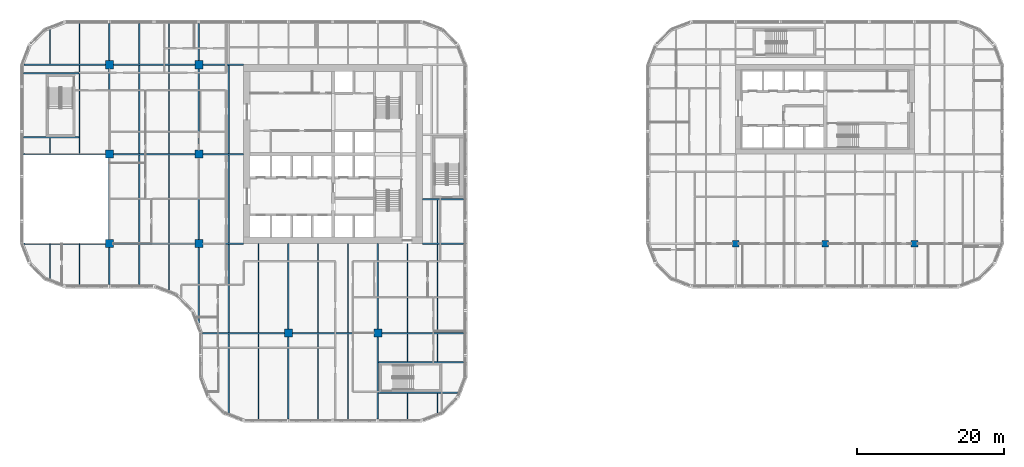
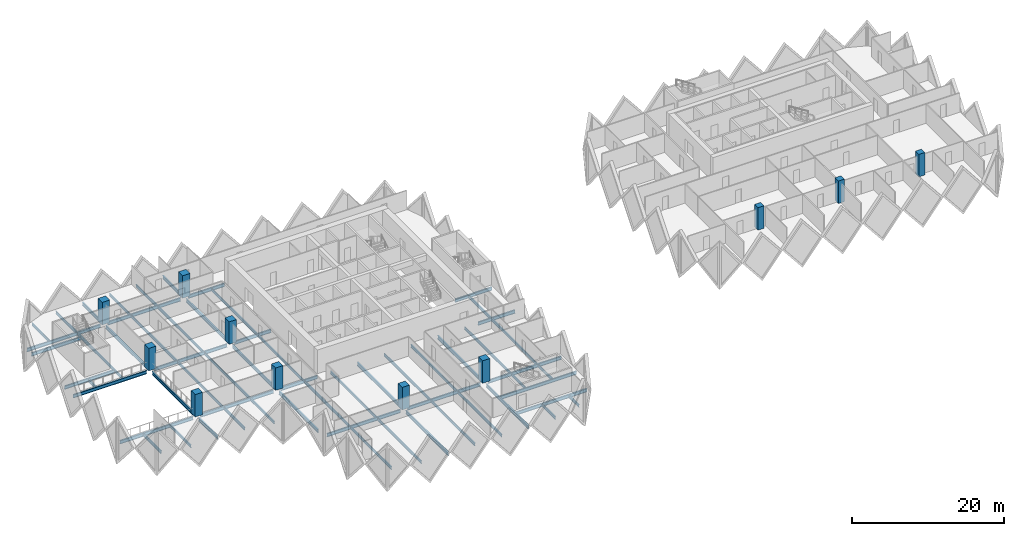
# One storey, part 1 of 19: 61 beams, 11 columns.
"""IFC4 building model written with IfcOpenShell, lengths in metres."""

import ifcopenshell
import ifcopenshell.guid

model = None  # the IFC model being written
_history = None  # IfcOwnerHistory: only IFC2X3 demands one
_inside = {}  # id of a spatial element -> (the spatial element, [elements in it])
_under = {}  # id of a project, library or spatial element -> (it, [spatial elements below it])
_declared = {}  # id of a project -> (the project, [libraries it declares])
_typed = {}  # id of a type object -> (the type object, [elements of that type])
_made_of = {}  # id of a material, layer set ... -> (it, [elements and type objects made of it])


def new_model(schema):
    """Start an empty IFC model of exactly this schema.

    Asked for "IFC4X3", IfcOpenShell would pick the latest addendum, in which some entities
    have other attributes; the version numbers below select the first issue.
    IFC2X3 requires an IfcOwnerHistory on every rooted entity: one is made here for all.
    """
    global model, _history
    if schema == "IFC4X3":
        model = ifcopenshell.file(schema_version=(4, 3, 0, 0))
    else:
        model = ifcopenshell.file(schema=schema)
    _inside.clear()
    _under.clear()
    _declared.clear()
    _typed.clear()
    _made_of.clear()
    _history = None
    if model.schema == "IFC2X3":
        org = make("IfcOrganization", Name="unknown")
        user = make(
            "IfcPersonAndOrganization",
            ThePerson=make("IfcPerson", FamilyName="unknown"),
            TheOrganization=org,
        )
        app = make(
            "IfcApplication",
            ApplicationDeveloper=org,
            Version="unknown",
            ApplicationFullName="unknown",
            ApplicationIdentifier="unknown",
        )
        _history = make(
            "IfcOwnerHistory",
            OwningUser=user,
            OwningApplication=app,
            ChangeAction="ADDED",
            CreationDate=0,
        )
    return model


def make(cls, **values):
    """One entity of the class cls with the attributes given. An attribute that is None is left unset."""
    return model.create_entity(
        cls, **{name: value for name, value in values.items() if value is not None}
    )


def rooted(cls, **values):
    """An entity with a GlobalId (a new one), such as an element, a storey or a relation."""
    return make(cls, GlobalId=ifcopenshell.guid.new(), OwnerHistory=_history, **values)


def si_unit(unit_type, name, prefix=None):
    """IfcSIUnit, for example si_unit("LENGTHUNIT", "METRE", prefix="MILLI")."""
    return make("IfcSIUnit", UnitType=unit_type, Prefix=prefix, Name=name)


def assignment(units):
    """IfcUnitAssignment: the units of a project."""
    return None if units is None else make("IfcUnitAssignment", Units=units)


def point(xyz):
    """IfcCartesianPoint."""
    return None if xyz is None else make("IfcCartesianPoint", Coordinates=xyz)


def direction(xyz):
    """IfcDirection."""
    return None if xyz is None else make("IfcDirection", DirectionRatios=xyz)


def frame(location, z_axis=None, x_axis=None):
    """IfcAxis2Placement3D, a coordinate frame: its origin and axes. An axis left out is left unset."""
    return make(
        "IfcAxis2Placement3D",
        Location=point(location),
        Axis=direction(z_axis),
        RefDirection=direction(x_axis),
    )


def frame_2d(location, x_axis=None):
    """IfcAxis2Placement2D, a coordinate frame in the plane: its origin and x axis."""
    return make(
        "IfcAxis2Placement2D", Location=point(location), RefDirection=direction(x_axis)
    )


def origin():
    """The frame at (0, 0, 0) with its axes left unset."""
    return frame((0.0, 0.0, 0.0))


def origin_2d():
    """The frame at (0, 0) in the plane with its x axis left unset."""
    return frame_2d((0.0, 0.0))


def place(relative_to, where):
    """IfcLocalPlacement: puts the frame where relative to a parent placement (None: the world)."""
    return make(
        "IfcLocalPlacement", PlacementRelTo=relative_to, RelativePlacement=where
    )


def context(
    kind, dimensions, precision=None, world=None, true_north=None, identifier=None
):
    """IfcGeometricRepresentationContext, for example the 3D "Model" context."""
    return make(
        "IfcGeometricRepresentationContext",
        ContextIdentifier=identifier,
        ContextType=kind,
        CoordinateSpaceDimension=dimensions,
        Precision=precision,
        WorldCoordinateSystem=world,
        TrueNorth=true_north,
    )


def subcontext(parent, identifier, kind, view, scale=None):
    """IfcGeometricRepresentationSubContext, for example "Body" below "Model"."""
    return make(
        "IfcGeometricRepresentationSubContext",
        ContextIdentifier=identifier,
        ContextType=kind,
        ParentContext=parent,
        TargetScale=scale,
        TargetView=view,
    )


def project(units=None, contexts=None):
    """IfcProject with its units and contexts."""
    return rooted(
        "IfcProject",
        Name="project",
        RepresentationContexts=contexts,
        UnitsInContext=assignment(units),
    )


def spatial(cls, under=None, at=None, **own):
    """A site, building, storey or space (cls), placed at a placement, below another one or the project."""
    s = rooted(cls, ObjectPlacement=at, **own)
    if under is not None:
        _under.setdefault(under.id(), (under, []))[1].append(s)
    return s


def profile(cls, at=None, kind="AREA", **sizes):
    """A parametric profile (cls). Its sizes go by their IFC names, for example OverallWidth=200.0."""
    return make(cls, ProfileType=kind, Position=at, **sizes)


def rectangle(**sizes):
    """IfcRectangleProfileDef."""
    return profile("IfcRectangleProfileDef", **sizes)


def i_section(**sizes):
    """IfcIShapeProfileDef."""
    return profile("IfcIShapeProfileDef", **sizes)


def extrude(swept, where, along, depth):
    """IfcExtrudedAreaSolid: the profile swept, set in the frame where, extruded along a direction by depth."""
    return make(
        "IfcExtrudedAreaSolid",
        SweptArea=swept,
        Position=where,
        ExtrudedDirection=direction(along),
        Depth=depth,
    )


def shape(context_of_items, identifier, shape_type, items):
    """IfcShapeRepresentation: the items that make up one representation, for example the "Body"."""
    return make(
        "IfcShapeRepresentation",
        ContextOfItems=context_of_items,
        RepresentationIdentifier=identifier,
        RepresentationType=shape_type,
        Items=items,
    )


def material(Name=None, Category=None):
    """IfcMaterial."""
    return make("IfcMaterial", Name=Name, Category=Category)


def material_profile(
    of_material, cross_section, Name=None, Category=None, Priority=None
):
    """IfcMaterialProfile: a cross section and its material."""
    return make(
        "IfcMaterialProfile",
        Name=Name,
        Material=of_material,
        Profile=cross_section,
        Priority=Priority,
        Category=Category,
    )


def profile_set(profiles, Name=None, composite=None):
    """IfcMaterialProfileSet."""
    return make(
        "IfcMaterialProfileSet",
        Name=Name,
        MaterialProfiles=profiles,
        CompositeProfile=composite,
    )


def made_of(thing, what):
    """Note that an element or type object is made of a material, layer set ...; save() writes the relation."""
    if what is not None:
        _made_of.setdefault(what.id(), (what, []))[1].append(thing)
    return thing


def type_object(cls, material=None, **own):
    """A type object (cls), such as IfcWallType, which elements share."""
    return made_of(rooted(cls, **own), material)


def element(
    cls,
    number,
    at=None,
    inside=None,
    cuts=None,
    type_object=None,
    material=None,
    context=None,
    identifier="Body",
    shape_type=None,
    held_by="IfcProductDefinitionShape",
    body=None,
    shapes=None,
    **own,
):
    """One element of the class cls, such as IfcWall. Its Tag is "e" and its number.

    at: its placement. inside: the storey or other place that contains it. cuts: it is an
    opening in that element (IfcRelVoidsElement). A single representation is given by context,
    identifier, shape_type and body (its items); several are given by shapes. held_by: the class
    of the entity that holds the representations. save() writes the other relations.
    """
    e = rooted(cls, Tag="e%d" % number, ObjectPlacement=at, **own)
    if body is not None:
        shapes = [shape(context, identifier, shape_type, body)]
    if shapes is not None:
        e.Representation = make(held_by, Representations=shapes)
    if inside is not None:
        _inside.setdefault(inside.id(), (inside, []))[1].append(e)
    if cuts is not None:
        rooted(
            "IfcRelVoidsElement", RelatingBuildingElement=cuts, RelatedOpeningElement=e
        )
    if type_object is not None:
        _typed.setdefault(type_object.id(), (type_object, []))[1].append(e)
    return made_of(e, material)


def aggregate(whole, parts):
    """IfcRelAggregates: a whole, such as a stair, and the parts it consists of."""
    return rooted("IfcRelAggregates", RelatingObject=whole, RelatedObjects=parts)


def save(model, path):
    """Write the relations noted so far, then the file.

    IfcRelAggregates (storeys below a building ...), IfcRelContainedInSpatialStructure (elements
    in a storey), IfcRelDefinesByType, IfcRelAssociatesMaterial and IfcRelDeclares: one each for
    every whole, place, type object, material and project.
    """
    for whole, parts in _under.values():
        aggregate(whole, parts)
    for where, things in _inside.values():
        rooted(
            "IfcRelContainedInSpatialStructure",
            RelatedElements=things,
            RelatingStructure=where,
        )
    for kind, things in _typed.values():
        rooted("IfcRelDefinesByType", RelatedObjects=things, RelatingType=kind)
    for what, things in _made_of.values():
        rooted("IfcRelAssociatesMaterial", RelatedObjects=things, RelatingMaterial=what)
    for by, libraries in _declared.values():
        rooted("IfcRelDeclares", RelatingContext=by, RelatedDefinitions=libraries)
    model.write(path)


model = new_model("IFC4")

# Units and contexts
model_context = context("Model", 3, precision=1e-05, world=origin(), true_north=direction((0.0, 1.0)))
body_context = subcontext(model_context, "Body", "Model", "MODEL_VIEW")
ifc_project = project(units=[si_unit("LENGTHUNIT", "METRE"), si_unit("AREAUNIT", "SQUARE_METRE"), si_unit("VOLUMEUNIT", "CUBIC_METRE"), si_unit("PLANEANGLEUNIT", "RADIAN"), si_unit("MASSUNIT", "GRAM", prefix="KILO")], contexts=[model_context])

# Site, building, storey
site_placement = place(None, origin())
site = spatial("IfcSite", under=ifc_project, at=site_placement, CompositionType="ELEMENT")
building_placement = place(site_placement, origin())
building = spatial("IfcBuilding", under=site, at=building_placement, Name="Tessera Gate Towers", CompositionType="ELEMENT")
storey_placement = place(building_placement, frame((0.0, 0.0, 29.60009765625)))
storey = spatial("IfcBuildingStorey", under=building, at=storey_placement, Name="L06", CompositionType="ELEMENT", Elevation=29.60009765625)

# Columns
ifc_material_1 = material(Name="Concrete C70/85", Category="concrete")
ifc_material_profile_1 = material_profile(ifc_material_1, rectangle(XDim=1.10009765625, YDim=1.10009765625, at=origin_2d()), Name="RC 1100x1100")
ifc_profile_set_1 = profile_set([ifc_material_profile_1], Name="Concrete C70/85")
column_type_1 = type_object("IfcColumnType", Name="COLUMN RC 1100x1100", PredefinedType="COLUMN", material=ifc_profile_set_1)
for number, where, z_axis, x_axis, name in (
    (1, (12.199951171875, 24.39990234375, 0.0), (0.0, 0.0, 1.0), (1.0, 0.0, 0.0), "T1-COL-2C-L06"),
    (2, (12.199951171875, 36.60009765625, 0.0), (0.0, 0.0, 1.0), (1.0, 0.0, 0.0), "T1-COL-2D-L06"),
    (3, (12.199951171875, 48.800048828125, 0.0), (0.0, 0.0, 1.0), (1.0, 0.0, 0.0), "T1-COL-2E-L06"),
    (4, (24.39990234375, 24.39990234375, 0.0), (0.0, 0.0, 1.0), (1.0, 0.0, 0.0), "T1-COL-3C-L06"),
    (5, (24.39990234375, 36.60009765625, 0.0), (0.0, 0.0, 1.0), (1.0, 0.0, 0.0), "T1-COL-3D-L06"),
    (6, (24.39990234375, 48.800048828125, 0.0), (0.0, 0.0, 1.0), (1.0, 0.0, 0.0), "T1-COL-3E-L06"),
    (7, (36.60009765625, 12.199951171875, 0.0), (0.0, 0.0, 1.0), (1.0, 0.0, 0.0), "T1-COL-4B-L06"),
    (8, (48.800048828125, 12.199951171875, 0.0), (0.0, 0.0, 1.0), (1.0, 0.0, 0.0), "T1-COL-5B-L06"),
):
    element("IfcColumn", number, at=place(storey_placement, frame(where, z_axis=z_axis, x_axis=x_axis)), inside=storey, type_object=column_type_1, Name=name, PredefinedType="COLUMN", context=body_context, shape_type="SweptSolid", body=[
        extrude(rectangle(XDim=1.10009765625, YDim=1.10009765625, at=origin_2d()), origin(), (0.0, 0.0, 1.0), 3.599853515625),
    ])
ifc_material_2 = material(Name="Concrete C70/85", Category="concrete")
ifc_material_profile_2 = material_profile(ifc_material_2, rectangle(XDim=0.89990234375, YDim=0.89990234375, at=origin_2d()), Name="RC 900x900")
ifc_profile_set_2 = profile_set([ifc_material_profile_2], Name="Concrete C70/85")
column_type_2 = type_object("IfcColumnType", Name="COLUMN RC 900x900", PredefinedType="COLUMN", material=ifc_profile_set_2)
for number, where, z_axis, x_axis, name in (
    (9, (97.60009765625, 24.39990234375, 0.0), (0.0, 0.0, 1.0), (1.0, 0.0, 0.0), "T2-COL-9C-L06"),
    (10, (109.800048828125, 24.39990234375, 0.0), (0.0, 0.0, 1.0), (1.0, 0.0, 0.0), "T2-COL-10C-L06"),
    (11, (122.0, 24.39990234375, 0.0), (0.0, 0.0, 1.0), (1.0, 0.0, 0.0), "T2-COL-11C-L06"),
):
    element("IfcColumn", number, at=place(storey_placement, frame(where, z_axis=z_axis, x_axis=x_axis)), inside=storey, type_object=column_type_2, Name=name, PredefinedType="COLUMN", context=body_context, shape_type="SweptSolid", body=[
        extrude(rectangle(XDim=0.89990234375, YDim=0.89990234375, at=origin_2d()), origin(), (0.0, 0.0, 1.0), 3.599853515625),
    ])

# Beams
ifc_material_3 = material(Name="Steel 350W", Category="steel")
ifc_material_profile_3 = material_profile(ifc_material_3, i_section(OverallWidth=0.208984375, OverallDepth=0.532958984375, WebThickness=0.01025390625, FlangeThickness=0.015625, at=origin_2d()), Name="W530x92")
ifc_profile_set_3 = profile_set([ifc_material_profile_3], Name="Steel 350W")
beam_type_1 = type_object("IfcBeamType", Name="FLOOR GIRDER W530x92", PredefinedType="BEAM", material=ifc_profile_set_3)
beam_1_placement = place(storey_placement, frame((24.89892578125, 12.199951171875, -0.466552734375), z_axis=(1.0, 0.0, 0.0), x_axis=(0.0, 1.0, 0.0)))
element("IfcBeam", 12, at=beam_1_placement, inside=storey, type_object=beam_type_1, Name="T1-GD-L06-1038", PredefinedType="BEAM", context=body_context, shape_type="SweptSolid", body=[
    extrude(i_section(OverallWidth=0.208984375, OverallDepth=0.532958984375, WebThickness=0.01025390625, FlangeThickness=0.015625, at=origin_2d()), origin(), (0.0, 0.0, 1.0), 11.151123046875),
])
beam_2_placement = place(storey_placement, frame((37.14990234375, 12.199951171875, -0.466552734375), z_axis=(1.0, 0.0, 0.0), x_axis=(0.0, 1.0, 0.0)))
element("IfcBeam", 13, at=beam_2_placement, inside=storey, type_object=beam_type_1, Name="T1-GD-L06-1039", PredefinedType="BEAM", context=body_context, shape_type="SweptSolid", body=[
    extrude(i_section(OverallWidth=0.208984375, OverallDepth=0.532958984375, WebThickness=0.01025390625, FlangeThickness=0.015625, at=origin_2d()), origin(), (0.0, 0.0, 1.0), 11.10009765625),
])
beam_3_placement = place(storey_placement, frame((49.35009765625, 12.199951171875, -0.466552734375), z_axis=(1.0, 0.0, 0.0), x_axis=(0.0, 1.0, 0.0)))
element("IfcBeam", 14, at=beam_3_placement, inside=storey, type_object=beam_type_1, Name="T1-GD-L06-1040", PredefinedType="BEAM", context=body_context, shape_type="SweptSolid", body=[
    extrude(i_section(OverallWidth=0.208984375, OverallDepth=0.532958984375, WebThickness=0.01025390625, FlangeThickness=0.015625, at=origin_2d()), origin(), (0.0, 0.0, 1.0), 11.15087890625),
])
beam_4_placement = place(storey_placement, frame((0.534912109375, 24.39990234375, -0.466552734375), z_axis=(1.0, 0.0, 0.0), x_axis=(0.0, 1.0, 0.0)))
element("IfcBeam", 15, at=beam_4_placement, inside=storey, type_object=beam_type_1, Name="T1-GD-L06-1041", PredefinedType="BEAM", context=body_context, shape_type="SweptSolid", body=[
    extrude(i_section(OverallWidth=0.208984375, OverallDepth=0.532958984375, WebThickness=0.01025390625, FlangeThickness=0.015625, at=origin_2d()), origin(), (0.0, 0.0, 1.0), 11.114990234375),
])
beam_5_placement = place(storey_placement, frame((12.75, 24.39990234375, -0.466552734375), z_axis=(1.0, 0.0, 0.0), x_axis=(0.0, 1.0, 0.0)))
element("IfcBeam", 16, at=beam_5_placement, inside=storey, type_object=beam_type_1, Name="T1-GD-L06-1042", PredefinedType="BEAM", context=body_context, shape_type="SweptSolid", body=[
    extrude(i_section(OverallWidth=0.208984375, OverallDepth=0.532958984375, WebThickness=0.01025390625, FlangeThickness=0.015625, at=origin_2d()), origin(), (0.0, 0.0, 1.0), 11.10009765625),
])
beam_6_placement = place(storey_placement, frame((24.949951171875, 24.39990234375, -0.466552734375), z_axis=(1.0, 0.0, 0.0), x_axis=(0.0, 1.0, 0.0)))
element("IfcBeam", 17, at=beam_6_placement, inside=storey, type_object=beam_type_1, Name="T1-GD-L06-1043", PredefinedType="BEAM", context=body_context, shape_type="SweptSolid", body=[
    extrude(i_section(OverallWidth=0.208984375, OverallDepth=0.532958984375, WebThickness=0.01025390625, FlangeThickness=0.015625, at=origin_2d()), origin(), (0.0, 0.0, 1.0), 5.549072265625),
])
beam_7_placement = place(storey_placement, frame((54.90087890625, 24.39990234375, -0.466552734375), z_axis=(1.0, 0.0, 0.0), x_axis=(0.0, 1.0, 0.0)))
element("IfcBeam", 18, at=beam_7_placement, inside=storey, type_object=beam_type_1, Name="T1-GD-L06-1044", PredefinedType="BEAM", context=body_context, shape_type="SweptSolid", body=[
    extrude(i_section(OverallWidth=0.208984375, OverallDepth=0.532958984375, WebThickness=0.01025390625, FlangeThickness=0.015625, at=origin_2d()), origin(), (0.0, 0.0, 1.0), 5.60009765625),
])
beam_8_placement = place(storey_placement, frame((0.4990234375, 36.60009765625, -0.466552734375), z_axis=(1.0, 0.0, 0.0), x_axis=(0.0, 1.0, 0.0)))
element("IfcBeam", 19, at=beam_8_placement, inside=storey, type_object=beam_type_1, Name="T1-GD-L06-1045", PredefinedType="BEAM", context=body_context, shape_type="SweptSolid", body=[
    extrude(i_section(OverallWidth=0.208984375, OverallDepth=0.532958984375, WebThickness=0.01025390625, FlangeThickness=0.015625, at=origin_2d()), origin(), (0.0, 0.0, 1.0), 11.15087890625),
])
beam_9_placement = place(storey_placement, frame((12.75, 36.60009765625, -0.466552734375), z_axis=(1.0, 0.0, 0.0), x_axis=(0.0, 1.0, 0.0)))
element("IfcBeam", 20, at=beam_9_placement, inside=storey, type_object=beam_type_1, Name="T1-GD-L06-1046", PredefinedType="BEAM", context=body_context, shape_type="SweptSolid", body=[
    extrude(i_section(OverallWidth=0.208984375, OverallDepth=0.532958984375, WebThickness=0.01025390625, FlangeThickness=0.015625, at=origin_2d()), origin(), (0.0, 0.0, 1.0), 11.10009765625),
])
beam_10_placement = place(storey_placement, frame((24.949951171875, 36.60009765625, -0.466552734375), z_axis=(1.0, 0.0, 0.0), x_axis=(0.0, 1.0, 0.0)))
element("IfcBeam", 21, at=beam_10_placement, inside=storey, type_object=beam_type_1, Name="T1-GD-L06-1047", PredefinedType="BEAM", context=body_context, shape_type="SweptSolid", body=[
    extrude(i_section(OverallWidth=0.208984375, OverallDepth=0.532958984375, WebThickness=0.01025390625, FlangeThickness=0.015625, at=origin_2d()), origin(), (0.0, 0.0, 1.0), 5.551025390625),
])
beam_11_placement = place(storey_placement, frame((0.534912109375, 48.800048828125, -0.466552734375), z_axis=(1.0, 0.0, 0.0), x_axis=(0.0, 1.0, 0.0)))
element("IfcBeam", 22, at=beam_11_placement, inside=storey, type_object=beam_type_1, Name="T1-GD-L06-1049", PredefinedType="BEAM", context=body_context, shape_type="SweptSolid", body=[
    extrude(i_section(OverallWidth=0.208984375, OverallDepth=0.532958984375, WebThickness=0.01025390625, FlangeThickness=0.015625, at=origin_2d()), origin(), (0.0, 0.0, 1.0), 11.114990234375),
])
beam_12_placement = place(storey_placement, frame((12.75, 48.800048828125, -0.466552734375), z_axis=(1.0, 0.0, 0.0), x_axis=(0.0, 1.0, 0.0)))
element("IfcBeam", 23, at=beam_12_placement, inside=storey, type_object=beam_type_1, Name="T1-GD-L06-1050", PredefinedType="BEAM", context=body_context, shape_type="SweptSolid", body=[
    extrude(i_section(OverallWidth=0.208984375, OverallDepth=0.532958984375, WebThickness=0.01025390625, FlangeThickness=0.015625, at=origin_2d()), origin(), (0.0, 0.0, 1.0), 11.10009765625),
])
beam_13_placement = place(storey_placement, frame((24.949951171875, 48.800048828125, -0.466552734375), z_axis=(1.0, 0.0, 0.0), x_axis=(0.0, 1.0, 0.0)))
element("IfcBeam", 24, at=beam_13_placement, inside=storey, type_object=beam_type_1, Name="T1-GD-L06-1051", PredefinedType="BEAM", context=body_context, shape_type="SweptSolid", body=[
    extrude(i_section(OverallWidth=0.208984375, OverallDepth=0.532958984375, WebThickness=0.01025390625, FlangeThickness=0.015625, at=origin_2d()), origin(), (0.0, 0.0, 1.0), 5.549072265625),
])
beam_14_placement = place(storey_placement, frame((12.199951171875, 18.799072265625, -0.466552734375), z_axis=(0.0, 1.0, 0.0), x_axis=(-1.0, 0.0, 0.0)))
element("IfcBeam", 25, at=beam_14_placement, inside=storey, type_object=beam_type_1, Name="T1-GD-L06-1053", PredefinedType="BEAM", context=body_context, shape_type="SweptSolid", body=[
    extrude(i_section(OverallWidth=0.208984375, OverallDepth=0.532958984375, WebThickness=0.01025390625, FlangeThickness=0.015625, at=origin_2d()), origin(), (0.0, 0.0, 1.0), 5.051025390625),
])
for number, where, z_axis, x_axis, name in (
    (26, (12.199951171875, 24.949951171875, -0.466552734375), (0.0, 1.0, 0.0), (-1.0, 0.0, 0.0), "T1-GD-L06-1054"),
    (27, (12.199951171875, 37.14990234375, -0.466552734375), (0.0, 1.0, 0.0), (-1.0, 0.0, 0.0), "T1-GD-L06-1055"),
):
    element("IfcBeam", number, at=place(storey_placement, frame(where, z_axis=z_axis, x_axis=x_axis)), inside=storey, type_object=beam_type_1, Name=name, PredefinedType="BEAM", context=body_context, shape_type="SweptSolid", body=[
        extrude(i_section(OverallWidth=0.208984375, OverallDepth=0.532958984375, WebThickness=0.01025390625, FlangeThickness=0.015625, at=origin_2d()), origin(), (0.0, 0.0, 1.0), 11.10009765625),
    ])
beam_15_placement = place(storey_placement, frame((12.199951171875, 49.35009765625, -0.466552734375), z_axis=(0.0, 1.0, 0.0), x_axis=(-1.0, 0.0, 0.0)))
element("IfcBeam", 28, at=beam_15_placement, inside=storey, type_object=beam_type_1, Name="T1-GD-L06-1056", PredefinedType="BEAM", context=body_context, shape_type="SweptSolid", body=[
    extrude(i_section(OverallWidth=0.208984375, OverallDepth=0.532958984375, WebThickness=0.01025390625, FlangeThickness=0.015625, at=origin_2d()), origin(), (0.0, 0.0, 1.0), 5.05078125),
])
beam_16_placement = place(storey_placement, frame((24.39990234375, 13.58642578125, -0.466552734375), z_axis=(0.0, 1.0, 0.0), x_axis=(-1.0, 0.0, 0.0)))
element("IfcBeam", 29, at=beam_16_placement, inside=storey, type_object=beam_type_1, Name="T1-GD-L06-1057", PredefinedType="BEAM", context=body_context, shape_type="SweptSolid", body=[
    extrude(i_section(OverallWidth=0.208984375, OverallDepth=0.532958984375, WebThickness=0.01025390625, FlangeThickness=0.015625, at=origin_2d()), origin(), (0.0, 0.0, 1.0), 10.263671875),
])
for number, where, z_axis, x_axis, name in (
    (30, (24.39990234375, 24.949951171875, -0.466552734375), (0.0, 1.0, 0.0), (-1.0, 0.0, 0.0), "T1-GD-L06-1058"),
    (31, (24.39990234375, 37.14990234375, -0.466552734375), (0.0, 1.0, 0.0), (-1.0, 0.0, 0.0), "T1-GD-L06-1059"),
):
    element("IfcBeam", number, at=place(storey_placement, frame(where, z_axis=z_axis, x_axis=x_axis)), inside=storey, type_object=beam_type_1, Name=name, PredefinedType="BEAM", context=body_context, shape_type="SweptSolid", body=[
        extrude(i_section(OverallWidth=0.208984375, OverallDepth=0.532958984375, WebThickness=0.01025390625, FlangeThickness=0.015625, at=origin_2d()), origin(), (0.0, 0.0, 1.0), 11.10009765625),
    ])
beam_17_placement = place(storey_placement, frame((24.39990234375, 49.35009765625, -0.466552734375), z_axis=(0.0, 1.0, 0.0), x_axis=(-1.0, 0.0, 0.0)))
element("IfcBeam", 32, at=beam_17_placement, inside=storey, type_object=beam_type_1, Name="T1-GD-L06-1060", PredefinedType="BEAM", context=body_context, shape_type="SweptSolid", body=[
    extrude(i_section(OverallWidth=0.208984375, OverallDepth=0.532958984375, WebThickness=0.01025390625, FlangeThickness=0.015625, at=origin_2d()), origin(), (0.0, 0.0, 1.0), 5.05078125),
])
beam_18_placement = place(storey_placement, frame((36.60009765625, 0.4990234375, -0.466552734375), z_axis=(0.0, 1.0, 0.0), x_axis=(-1.0, 0.0, 0.0)))
element("IfcBeam", 33, at=beam_18_placement, inside=storey, type_object=beam_type_1, Name="T1-GD-L06-1061", PredefinedType="BEAM", context=body_context, shape_type="SweptSolid", body=[
    extrude(i_section(OverallWidth=0.208984375, OverallDepth=0.532958984375, WebThickness=0.01025390625, FlangeThickness=0.015625, at=origin_2d()), origin(), (0.0, 0.0, 1.0), 11.15087890625),
])
beam_19_placement = place(storey_placement, frame((36.60009765625, 12.75, -0.466552734375), z_axis=(0.0, 1.0, 0.0), x_axis=(-1.0, 0.0, 0.0)))
element("IfcBeam", 34, at=beam_19_placement, inside=storey, type_object=beam_type_1, Name="T1-GD-L06-1062", PredefinedType="BEAM", context=body_context, shape_type="SweptSolid", body=[
    extrude(i_section(OverallWidth=0.208984375, OverallDepth=0.532958984375, WebThickness=0.01025390625, FlangeThickness=0.015625, at=origin_2d()), origin(), (0.0, 0.0, 1.0), 11.64990234375),
])
beam_20_placement = place(storey_placement, frame((48.800048828125, 0.4990234375, -0.466552734375), z_axis=(0.0, 1.0, 0.0), x_axis=(-1.0, 0.0, 0.0)))
element("IfcBeam", 35, at=beam_20_placement, inside=storey, type_object=beam_type_1, Name="T1-GD-L06-1063", PredefinedType="BEAM", context=body_context, shape_type="SweptSolid", body=[
    extrude(i_section(OverallWidth=0.208984375, OverallDepth=0.532958984375, WebThickness=0.01025390625, FlangeThickness=0.015625, at=origin_2d()), origin(), (0.0, 0.0, 1.0), 11.15087890625),
])
beam_21_placement = place(storey_placement, frame((48.800048828125, 12.75, -0.466552734375), z_axis=(0.0, 1.0, 0.0), x_axis=(-1.0, 0.0, 0.0)))
element("IfcBeam", 36, at=beam_21_placement, inside=storey, type_object=beam_type_1, Name="T1-GD-L06-1064", PredefinedType="BEAM", context=body_context, shape_type="SweptSolid", body=[
    extrude(i_section(OverallWidth=0.208984375, OverallDepth=0.532958984375, WebThickness=0.01025390625, FlangeThickness=0.015625, at=origin_2d()), origin(), (0.0, 0.0, 1.0), 11.64990234375),
])
for number, where, z_axis, x_axis, name in (
    (37, (0.4990234375, 38.8798828125, -0.466552734375), (1.0, 0.0, 0.0), (0.0, 1.0, 0.0), "T1-GD-L06-1065"),
    (38, (0.4990234375, 47.6201171875, -0.466552734375), (1.0, 0.0, 0.0), (0.0, 1.0, 0.0), "T1-GD-L06-1066"),
):
    element("IfcBeam", number, at=place(storey_placement, frame(where, z_axis=z_axis, x_axis=x_axis)), inside=storey, type_object=beam_type_1, Name=name, PredefinedType="BEAM", context=body_context, shape_type="SweptSolid", body=[
        extrude(i_section(OverallWidth=0.208984375, OverallDepth=0.532958984375, WebThickness=0.01025390625, FlangeThickness=0.015625, at=origin_2d()), origin(), (0.0, 0.0, 1.0), 7.557861328125),
    ])
beam_22_placement = place(storey_placement, frame((48.87646484375, 4.080078125, -0.466552734375), z_axis=(1.0, 0.0, 0.0), x_axis=(0.0, 1.0, 0.0)))
element("IfcBeam", 39, at=beam_22_placement, inside=storey, type_object=beam_type_1, Name="T1-GD-L06-1067", PredefinedType="BEAM", context=body_context, shape_type="SweptSolid", body=[
    extrude(i_section(OverallWidth=0.208984375, OverallDepth=0.532958984375, WebThickness=0.01025390625, FlangeThickness=0.015625, at=origin_2d()), origin(), (0.0, 0.0, 1.0), 10.809326171875),
])
beam_23_placement = place(storey_placement, frame((48.87646484375, 8.219970703125, -0.466552734375), z_axis=(1.0, 0.0, 0.0), x_axis=(0.0, 1.0, 0.0)))
element("IfcBeam", 40, at=beam_23_placement, inside=storey, type_object=beam_type_1, Name="T1-GD-L06-1068", PredefinedType="BEAM", context=body_context, shape_type="SweptSolid", body=[
    extrude(i_section(OverallWidth=0.208984375, OverallDepth=0.532958984375, WebThickness=0.01025390625, FlangeThickness=0.015625, at=origin_2d()), origin(), (0.0, 0.0, 1.0), 11.62451171875),
])
beam_24_placement = place(storey_placement, frame((54.89892578125, 30.47998046875, -0.466552734375), z_axis=(1.0, 0.0, 0.0), x_axis=(0.0, 1.0, 0.0)))
element("IfcBeam", 41, at=beam_24_placement, inside=storey, type_object=beam_type_1, Name="T1-GD-L06-1069", PredefinedType="BEAM", context=body_context, shape_type="SweptSolid", body=[
    extrude(i_section(OverallWidth=0.208984375, OverallDepth=0.532958984375, WebThickness=0.01025390625, FlangeThickness=0.015625, at=origin_2d()), origin(), (0.0, 0.0, 1.0), 5.60205078125),
])
ifc_material_4 = material(Name="Steel 350W", Category="steel")
ifc_material_profile_4 = material_profile(ifc_material_4, i_section(OverallWidth=0.153076171875, OverallDepth=0.455078125, WebThickness=0.008056640625, FlangeThickness=0.01318359375, at=origin_2d()), Name="W460x60")
ifc_profile_set_4 = profile_set([ifc_material_profile_4], Name="Steel 350W")
beam_type_2 = type_object("IfcBeamType", Name="FLOOR SECONDARY W460x60", PredefinedType="BEAM", material=ifc_profile_set_4)
beam_25_placement = place(storey_placement, frame((4.066650390625, 19.620361328125, -0.427490234375), z_axis=(0.0, 1.0, 0.0), x_axis=(-1.0, 0.0, 0.0)))
element("IfcBeam", 42, at=beam_25_placement, inside=storey, type_object=beam_type_2, Name="T1-BM-L06-1072", PredefinedType="BEAM", context=body_context, shape_type="SweptSolid", body=[
    extrude(i_section(OverallWidth=0.153076171875, OverallDepth=0.455078125, WebThickness=0.008056640625, FlangeThickness=0.01318359375, at=origin_2d()), origin(), (0.0, 0.0, 1.0), 4.779541015625),
])
beam_26_placement = place(storey_placement, frame((4.066650390625, 36.70458984375, -0.427490234375), z_axis=(0.0, 1.0, 0.0), x_axis=(-1.0, 0.0, 0.0)))
element("IfcBeam", 43, at=beam_26_placement, inside=storey, type_object=beam_type_2, Name="T1-BM-L06-1073", PredefinedType="BEAM", context=body_context, shape_type="SweptSolid", body=[
    extrude(i_section(OverallWidth=0.153076171875, OverallDepth=0.455078125, WebThickness=0.008056640625, FlangeThickness=0.01318359375, at=origin_2d()), origin(), (0.0, 0.0, 1.0), 2.07080078125),
])
beam_27_placement = place(storey_placement, frame((4.066650390625, 48.904541015625, -0.427490234375), z_axis=(0.0, 1.0, 0.0), x_axis=(-1.0, 0.0, 0.0)))
element("IfcBeam", 44, at=beam_27_placement, inside=storey, type_object=beam_type_2, Name="T1-BM-L06-1074", PredefinedType="BEAM", context=body_context, shape_type="SweptSolid", body=[
    extrude(i_section(OverallWidth=0.153076171875, OverallDepth=0.455078125, WebThickness=0.008056640625, FlangeThickness=0.01318359375, at=origin_2d()), origin(), (0.0, 0.0, 1.0), 4.675048828125),
])
beam_28_placement = place(storey_placement, frame((8.13330078125, 18.800048828125, -0.427490234375), z_axis=(0.0, 1.0, 0.0), x_axis=(-1.0, 0.0, 0.0)))
element("IfcBeam", 45, at=beam_28_placement, inside=storey, type_object=beam_type_2, Name="T1-BM-L06-1075", PredefinedType="BEAM", context=body_context, shape_type="SweptSolid", body=[
    extrude(i_section(OverallWidth=0.153076171875, OverallDepth=0.455078125, WebThickness=0.008056640625, FlangeThickness=0.01318359375, at=origin_2d()), origin(), (0.0, 0.0, 1.0), 5.599853515625),
])
beam_29_placement = place(storey_placement, frame((8.13330078125, 36.70458984375, -0.427490234375), z_axis=(0.0, 1.0, 0.0), x_axis=(-1.0, 0.0, 0.0)))
element("IfcBeam", 46, at=beam_29_placement, inside=storey, type_object=beam_type_2, Name="T1-BM-L06-1076", PredefinedType="BEAM", context=body_context, shape_type="SweptSolid", body=[
    extrude(i_section(OverallWidth=0.153076171875, OverallDepth=0.455078125, WebThickness=0.008056640625, FlangeThickness=0.01318359375, at=origin_2d()), origin(), (0.0, 0.0, 1.0), 11.990966796875),
])
for number, where, z_axis, x_axis, name in (
    (47, (8.13330078125, 48.904541015625, -0.427490234375), (0.0, 1.0, 0.0), (-1.0, 0.0, 0.0), "T1-BM-L06-1077"),
    (48, (16.2666015625, 18.800048828125, -0.427490234375), (0.0, 1.0, 0.0), (-1.0, 0.0, 0.0), "T1-BM-L06-1078"),
):
    element("IfcBeam", number, at=place(storey_placement, frame(where, z_axis=z_axis, x_axis=x_axis)), inside=storey, type_object=beam_type_2, Name=name, PredefinedType="BEAM", context=body_context, shape_type="SweptSolid", body=[
        extrude(i_section(OverallWidth=0.153076171875, OverallDepth=0.455078125, WebThickness=0.008056640625, FlangeThickness=0.01318359375, at=origin_2d()), origin(), (0.0, 0.0, 1.0), 5.495361328125),
    ])
beam_30_placement = place(storey_placement, frame((16.2666015625, 24.50439453125, -0.427490234375), z_axis=(0.0, 1.0, 0.0), x_axis=(-1.0, 0.0, 0.0)))
element("IfcBeam", 49, at=beam_30_placement, inside=storey, type_object=beam_type_2, Name="T1-BM-L06-1079", PredefinedType="BEAM", context=body_context, shape_type="SweptSolid", body=[
    extrude(i_section(OverallWidth=0.153076171875, OverallDepth=0.455078125, WebThickness=0.008056640625, FlangeThickness=0.01318359375, at=origin_2d()), origin(), (0.0, 0.0, 1.0), 11.9912109375),
])
beam_31_placement = place(storey_placement, frame((16.2666015625, 36.70458984375, -0.427490234375), z_axis=(0.0, 1.0, 0.0), x_axis=(-1.0, 0.0, 0.0)))
element("IfcBeam", 50, at=beam_31_placement, inside=storey, type_object=beam_type_2, Name="T1-BM-L06-1080", PredefinedType="BEAM", context=body_context, shape_type="SweptSolid", body=[
    extrude(i_section(OverallWidth=0.153076171875, OverallDepth=0.455078125, WebThickness=0.008056640625, FlangeThickness=0.01318359375, at=origin_2d()), origin(), (0.0, 0.0, 1.0), 11.990966796875),
])
beam_32_placement = place(storey_placement, frame((16.2666015625, 48.904541015625, -0.427490234375), z_axis=(0.0, 1.0, 0.0), x_axis=(-1.0, 0.0, 0.0)))
element("IfcBeam", 51, at=beam_32_placement, inside=storey, type_object=beam_type_2, Name="T1-BM-L06-1081", PredefinedType="BEAM", context=body_context, shape_type="SweptSolid", body=[
    extrude(i_section(OverallWidth=0.153076171875, OverallDepth=0.455078125, WebThickness=0.008056640625, FlangeThickness=0.01318359375, at=origin_2d()), origin(), (0.0, 0.0, 1.0), 5.495361328125),
])
beam_33_placement = place(storey_placement, frame((20.333251953125, 18.051513671875, -0.427490234375), z_axis=(0.0, 1.0, 0.0), x_axis=(-1.0, 0.0, 0.0)))
element("IfcBeam", 52, at=beam_33_placement, inside=storey, type_object=beam_type_2, Name="T1-BM-L06-1082", PredefinedType="BEAM", context=body_context, shape_type="SweptSolid", body=[
    extrude(i_section(OverallWidth=0.153076171875, OverallDepth=0.455078125, WebThickness=0.008056640625, FlangeThickness=0.01318359375, at=origin_2d()), origin(), (0.0, 0.0, 1.0), 6.243896484375),
])
beam_34_placement = place(storey_placement, frame((20.333251953125, 24.50439453125, -0.427490234375), z_axis=(0.0, 1.0, 0.0), x_axis=(-1.0, 0.0, 0.0)))
element("IfcBeam", 53, at=beam_34_placement, inside=storey, type_object=beam_type_2, Name="T1-BM-L06-1083", PredefinedType="BEAM", context=body_context, shape_type="SweptSolid", body=[
    extrude(i_section(OverallWidth=0.153076171875, OverallDepth=0.455078125, WebThickness=0.008056640625, FlangeThickness=0.01318359375, at=origin_2d()), origin(), (0.0, 0.0, 1.0), 11.9912109375),
])
beam_35_placement = place(storey_placement, frame((20.333251953125, 36.70458984375, -0.427490234375), z_axis=(0.0, 1.0, 0.0), x_axis=(-1.0, 0.0, 0.0)))
element("IfcBeam", 54, at=beam_35_placement, inside=storey, type_object=beam_type_2, Name="T1-BM-L06-1084", PredefinedType="BEAM", context=body_context, shape_type="SweptSolid", body=[
    extrude(i_section(OverallWidth=0.153076171875, OverallDepth=0.455078125, WebThickness=0.008056640625, FlangeThickness=0.01318359375, at=origin_2d()), origin(), (0.0, 0.0, 1.0), 11.990966796875),
])
beam_36_placement = place(storey_placement, frame((20.333251953125, 48.904541015625, -0.427490234375), z_axis=(0.0, 1.0, 0.0), x_axis=(-1.0, 0.0, 0.0)))
element("IfcBeam", 55, at=beam_36_placement, inside=storey, type_object=beam_type_2, Name="T1-BM-L06-1085", PredefinedType="BEAM", context=body_context, shape_type="SweptSolid", body=[
    extrude(i_section(OverallWidth=0.153076171875, OverallDepth=0.455078125, WebThickness=0.008056640625, FlangeThickness=0.01318359375, at=origin_2d()), origin(), (0.0, 0.0, 1.0), 5.495361328125),
])
beam_37_placement = place(storey_placement, frame((28.466796875, 1.3203125, -0.427490234375), z_axis=(0.0, 1.0, 0.0), x_axis=(-1.0, 0.0, 0.0)))
element("IfcBeam", 56, at=beam_37_placement, inside=storey, type_object=beam_type_2, Name="T1-BM-L06-1086", PredefinedType="BEAM", context=body_context, shape_type="SweptSolid", body=[
    extrude(i_section(OverallWidth=0.153076171875, OverallDepth=0.455078125, WebThickness=0.008056640625, FlangeThickness=0.01318359375, at=origin_2d()), origin(), (0.0, 0.0, 1.0), 10.775146484375),
])
beam_38_placement = place(storey_placement, frame((28.466796875, 12.304443359375, -0.427490234375), z_axis=(0.0, 1.0, 0.0), x_axis=(-1.0, 0.0, 0.0)))
element("IfcBeam", 57, at=beam_38_placement, inside=storey, type_object=beam_type_2, Name="T1-BM-L06-1087", PredefinedType="BEAM", context=body_context, shape_type="SweptSolid", body=[
    extrude(i_section(OverallWidth=0.153076171875, OverallDepth=0.455078125, WebThickness=0.008056640625, FlangeThickness=0.01318359375, at=origin_2d()), origin(), (0.0, 0.0, 1.0), 11.990966796875),
])
beam_39_placement = place(storey_placement, frame((28.466796875, 24.50439453125, -0.427490234375), z_axis=(0.0, 1.0, 0.0), x_axis=(-1.0, 0.0, 0.0)))
element("IfcBeam", 58, at=beam_39_placement, inside=storey, type_object=beam_type_2, Name="T1-BM-L06-1088", PredefinedType="BEAM", context=body_context, shape_type="SweptSolid", body=[
    extrude(i_section(OverallWidth=0.153076171875, OverallDepth=0.455078125, WebThickness=0.008056640625, FlangeThickness=0.01318359375, at=origin_2d()), origin(), (0.0, 0.0, 1.0), 11.9912109375),
])
beam_40_placement = place(storey_placement, frame((28.466796875, 36.70458984375, -0.427490234375), z_axis=(0.0, 1.0, 0.0), x_axis=(-1.0, 0.0, 0.0)))
element("IfcBeam", 59, at=beam_40_placement, inside=storey, type_object=beam_type_2, Name="T1-BM-L06-1089", PredefinedType="BEAM", context=body_context, shape_type="SweptSolid", body=[
    extrude(i_section(OverallWidth=0.153076171875, OverallDepth=0.455078125, WebThickness=0.008056640625, FlangeThickness=0.01318359375, at=origin_2d()), origin(), (0.0, 0.0, 1.0), 11.990966796875),
])
beam_41_placement = place(storey_placement, frame((32.533203125, 0.5, -0.427490234375), z_axis=(0.0, 1.0, 0.0), x_axis=(-1.0, 0.0, 0.0)))
element("IfcBeam", 60, at=beam_41_placement, inside=storey, type_object=beam_type_2, Name="T1-BM-L06-1091", PredefinedType="BEAM", context=body_context, shape_type="SweptSolid", body=[
    extrude(i_section(OverallWidth=0.153076171875, OverallDepth=0.455078125, WebThickness=0.008056640625, FlangeThickness=0.01318359375, at=origin_2d()), origin(), (0.0, 0.0, 1.0), 11.595458984375),
])
beam_42_placement = place(storey_placement, frame((32.533203125, 12.304443359375, -0.427490234375), z_axis=(0.0, 1.0, 0.0), x_axis=(-1.0, 0.0, 0.0)))
element("IfcBeam", 61, at=beam_42_placement, inside=storey, type_object=beam_type_2, Name="T1-BM-L06-1092", PredefinedType="BEAM", context=body_context, shape_type="SweptSolid", body=[
    extrude(i_section(OverallWidth=0.153076171875, OverallDepth=0.455078125, WebThickness=0.008056640625, FlangeThickness=0.01318359375, at=origin_2d()), origin(), (0.0, 0.0, 1.0), 12.095458984375),
])
beam_43_placement = place(storey_placement, frame((40.666748046875, 0.5, -0.427490234375), z_axis=(0.0, 1.0, 0.0), x_axis=(-1.0, 0.0, 0.0)))
element("IfcBeam", 62, at=beam_43_placement, inside=storey, type_object=beam_type_2, Name="T1-BM-L06-1095", PredefinedType="BEAM", context=body_context, shape_type="SweptSolid", body=[
    extrude(i_section(OverallWidth=0.153076171875, OverallDepth=0.455078125, WebThickness=0.008056640625, FlangeThickness=0.01318359375, at=origin_2d()), origin(), (0.0, 0.0, 1.0), 11.595458984375),
])
beam_44_placement = place(storey_placement, frame((40.666748046875, 12.304443359375, -0.427490234375), z_axis=(0.0, 1.0, 0.0), x_axis=(-1.0, 0.0, 0.0)))
element("IfcBeam", 63, at=beam_44_placement, inside=storey, type_object=beam_type_2, Name="T1-BM-L06-1096", PredefinedType="BEAM", context=body_context, shape_type="SweptSolid", body=[
    extrude(i_section(OverallWidth=0.153076171875, OverallDepth=0.455078125, WebThickness=0.008056640625, FlangeThickness=0.01318359375, at=origin_2d()), origin(), (0.0, 0.0, 1.0), 12.095458984375),
])
beam_45_placement = place(storey_placement, frame((44.7333984375, 0.5, -0.427490234375), z_axis=(0.0, 1.0, 0.0), x_axis=(-1.0, 0.0, 0.0)))
element("IfcBeam", 64, at=beam_45_placement, inside=storey, type_object=beam_type_2, Name="T1-BM-L06-1098", PredefinedType="BEAM", context=body_context, shape_type="SweptSolid", body=[
    extrude(i_section(OverallWidth=0.153076171875, OverallDepth=0.455078125, WebThickness=0.008056640625, FlangeThickness=0.01318359375, at=origin_2d()), origin(), (0.0, 0.0, 1.0), 11.595458984375),
])
beam_46_placement = place(storey_placement, frame((44.7333984375, 12.304443359375, -0.427490234375), z_axis=(0.0, 1.0, 0.0), x_axis=(-1.0, 0.0, 0.0)))
element("IfcBeam", 65, at=beam_46_placement, inside=storey, type_object=beam_type_2, Name="T1-BM-L06-1099", PredefinedType="BEAM", context=body_context, shape_type="SweptSolid", body=[
    extrude(i_section(OverallWidth=0.153076171875, OverallDepth=0.455078125, WebThickness=0.008056640625, FlangeThickness=0.01318359375, at=origin_2d()), origin(), (0.0, 0.0, 1.0), 12.095458984375),
])
beam_47_placement = place(storey_placement, frame((52.86669921875, 0.5, -0.427490234375), z_axis=(0.0, 1.0, 0.0), x_axis=(-1.0, 0.0, 0.0)))
element("IfcBeam", 66, at=beam_47_placement, inside=storey, type_object=beam_type_2, Name="T1-BM-L06-1102", PredefinedType="BEAM", context=body_context, shape_type="SweptSolid", body=[
    extrude(i_section(OverallWidth=0.153076171875, OverallDepth=0.455078125, WebThickness=0.008056640625, FlangeThickness=0.01318359375, at=origin_2d()), origin(), (0.0, 0.0, 1.0), 3.4755859375),
])
beam_48_placement = place(storey_placement, frame((52.86669921875, 8.324462890625, -0.427490234375), z_axis=(0.0, 1.0, 0.0), x_axis=(-1.0, 0.0, 0.0)))
element("IfcBeam", 67, at=beam_48_placement, inside=storey, type_object=beam_type_2, Name="T1-BM-L06-1103", PredefinedType="BEAM", context=body_context, shape_type="SweptSolid", body=[
    extrude(i_section(OverallWidth=0.153076171875, OverallDepth=0.455078125, WebThickness=0.008056640625, FlangeThickness=0.01318359375, at=origin_2d()), origin(), (0.0, 0.0, 1.0), 3.77099609375),
])
beam_49_placement = place(storey_placement, frame((52.86669921875, 12.304443359375, -0.427490234375), z_axis=(0.0, 1.0, 0.0), x_axis=(-1.0, 0.0, 0.0)))
element("IfcBeam", 68, at=beam_49_placement, inside=storey, type_object=beam_type_2, Name="T1-BM-L06-1104", PredefinedType="BEAM", context=body_context, shape_type="SweptSolid", body=[
    extrude(i_section(OverallWidth=0.153076171875, OverallDepth=0.455078125, WebThickness=0.008056640625, FlangeThickness=0.01318359375, at=origin_2d()), origin(), (0.0, 0.0, 1.0), 12.095458984375),
])
beam_50_placement = place(storey_placement, frame((56.933349609375, 1.3203125, -0.427490234375), z_axis=(0.0, 1.0, 0.0), x_axis=(-1.0, 0.0, 0.0)))
element("IfcBeam", 69, at=beam_50_placement, inside=storey, type_object=beam_type_2, Name="T1-BM-L06-1106", PredefinedType="BEAM", context=body_context, shape_type="SweptSolid", body=[
    extrude(i_section(OverallWidth=0.153076171875, OverallDepth=0.455078125, WebThickness=0.008056640625, FlangeThickness=0.01318359375, at=origin_2d()), origin(), (0.0, 0.0, 1.0), 2.6552734375),
])
beam_51_placement = place(storey_placement, frame((56.933349609375, 8.324462890625, -0.427490234375), z_axis=(0.0, 1.0, 0.0), x_axis=(-1.0, 0.0, 0.0)))
element("IfcBeam", 70, at=beam_51_placement, inside=storey, type_object=beam_type_2, Name="T1-BM-L06-1107", PredefinedType="BEAM", context=body_context, shape_type="SweptSolid", body=[
    extrude(i_section(OverallWidth=0.153076171875, OverallDepth=0.455078125, WebThickness=0.008056640625, FlangeThickness=0.01318359375, at=origin_2d()), origin(), (0.0, 0.0, 1.0), 3.77099609375),
])
beam_52_placement = place(storey_placement, frame((56.933349609375, 12.304443359375, -0.427490234375), z_axis=(0.0, 1.0, 0.0), x_axis=(-1.0, 0.0, 0.0)))
element("IfcBeam", 71, at=beam_52_placement, inside=storey, type_object=beam_type_2, Name="T1-BM-L06-1108", PredefinedType="BEAM", context=body_context, shape_type="SweptSolid", body=[
    extrude(i_section(OverallWidth=0.153076171875, OverallDepth=0.455078125, WebThickness=0.008056640625, FlangeThickness=0.01318359375, at=origin_2d()), origin(), (0.0, 0.0, 1.0), 11.990966796875),
])
beam_53_placement = place(storey_placement, frame((56.933349609375, 24.50439453125, -0.427490234375), z_axis=(0.0, 1.0, 0.0), x_axis=(-1.0, 0.0, 0.0)))
element("IfcBeam", 72, at=beam_53_placement, inside=storey, type_object=beam_type_2, Name="T1-BM-L06-1109", PredefinedType="BEAM", context=body_context, shape_type="SweptSolid", body=[
    extrude(i_section(OverallWidth=0.153076171875, OverallDepth=0.455078125, WebThickness=0.008056640625, FlangeThickness=0.01318359375, at=origin_2d()), origin(), (0.0, 0.0, 1.0), 5.87109375),
])

save(model, "model.ifc")
